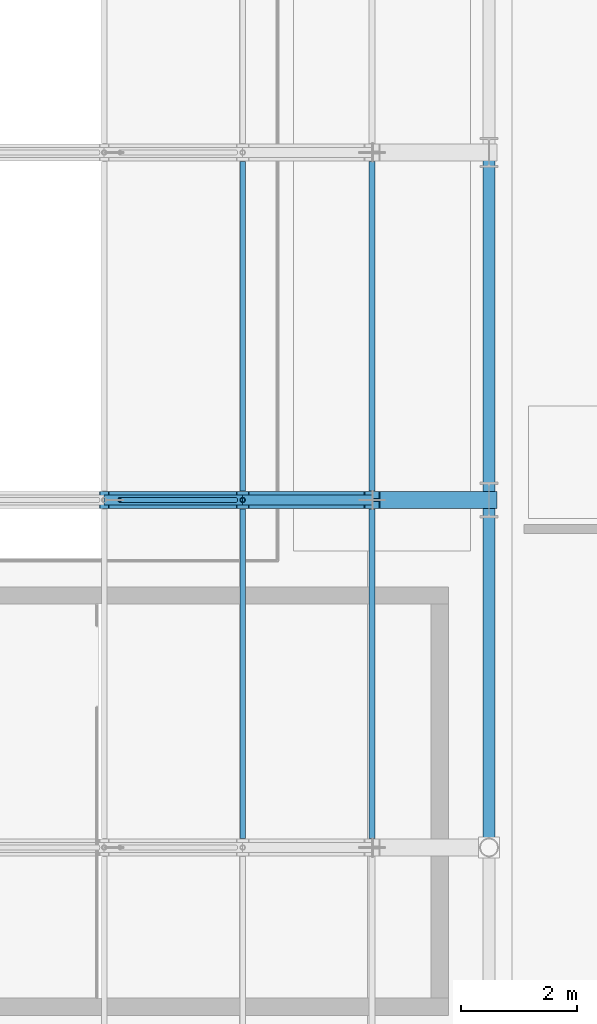
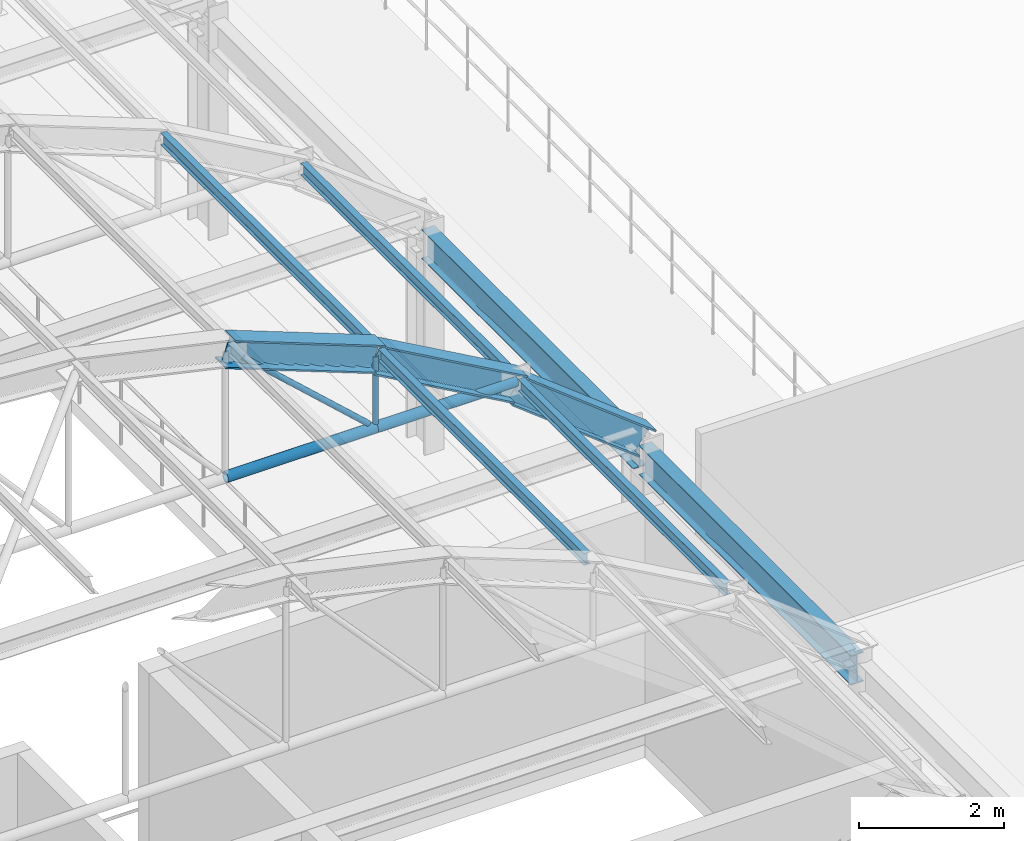
# One storey, part 41 of 148: 9 beams, 4 members.
"""IFC4 building model written with IfcOpenShell, lengths in metres."""

from ifc_helpers import new_model, si_unit, direction, frame, origin, origin_2d, place, context, subcontext, project, spatial, hollow_circle, i_section, extrude, material, material_profile, profile_set, type_object, element, save


model = new_model("IFC4")

# Units and contexts
model_context = context("Model", 3, precision=1e-05, world=origin(), true_north=direction((0.0, 1.0)))
body_context = subcontext(model_context, "Body", "Model", "MODEL_VIEW")
ifc_project = project(units=[si_unit("LENGTHUNIT", "METRE"), si_unit("AREAUNIT", "SQUARE_METRE"), si_unit("VOLUMEUNIT", "CUBIC_METRE"), si_unit("PLANEANGLEUNIT", "RADIAN"), si_unit("MASSUNIT", "GRAM", prefix="KILO"), si_unit("THERMODYNAMICTEMPERATUREUNIT", "KELVIN"), si_unit("POWERUNIT", "WATT")], contexts=[model_context])

# Site, building, storey
site_placement = place(None, origin())
site = spatial("IfcSite", under=ifc_project, at=site_placement, CompositionType="ELEMENT")
building_placement = place(site_placement, origin())
building = spatial("IfcBuilding", under=site, at=building_placement, Name="Solvatero Civic Police Headquarters", CompositionType="ELEMENT")
storey_placement = place(building_placement, frame((0.0, 0.0, 5.10009765625)))
storey = spatial("IfcBuildingStorey", under=building, at=storey_placement, Name="L01", CompositionType="ELEMENT", Elevation=5.10009765625)

# Beams
ifc_material = material(Name="Steel S355", Category="steel")
ifc_material_profile_1 = material_profile(ifc_material, i_section(OverallWidth=0.300048828125, OverallDepth=0.449951171875, WebThickness=0.013916015625, FlangeThickness=0.02587890625, FilletRadius=0.027099609375, at=origin_2d()), Name="HEB 450")
ifc_profile_set_1 = profile_set([ifc_material_profile_1], Name="Steel S355")
beam_type_1 = type_object("IfcBeamType", Name="BM-ST-HEB450", PredefinedType="BEAM", material=ifc_profile_set_1)
for number, where, z_axis, x_axis, name in (
    (1, (115.55517578125, 16.800048828125, 7.53955078125), (0.933355429458, 0.0, -0.358953537802), (0.0, 1.0, 0.0), "VLT1 Tied-Arch Vault Top Chord F3.8"),
    (2, (117.946533203125, 16.800048828125, 6.590087890625), (0.870765086908, 0.0, -0.491699261156), (0.0, 1.0, 0.0), "VLT1 Tied-Arch Vault Top Chord F3.9"),
    (3, (120.177490234375, 16.800048828125, 5.284912109375), (0.789403525995, 0.0, -0.613874639602), (0.0, 1.0, 0.0), "VLT1 Tied-Arch Vault Top Chord F3.10"),
):
    element("IfcBeam", number, at=place(storey_placement, frame(where, z_axis=z_axis, x_axis=x_axis)), inside=storey, type_object=beam_type_1, Name=name, PredefinedType="BEAM", context=body_context, shape_type="SweptSolid", body=[
        extrude(i_section(OverallWidth=0.300048828125, OverallDepth=0.449951171875, WebThickness=0.013916015625, FlangeThickness=0.02587890625, FilletRadius=0.027099609375, at=origin_2d()), origin(), (0.0, 0.0, 1.0), 2.56201171875),
    ])
ifc_material_profile_2 = material_profile(ifc_material, i_section(OverallWidth=0.10009765625, OverallDepth=0.199951171875, WebThickness=0.005615234375, FlangeThickness=0.008544921875, FilletRadius=0.011962890625, at=origin_2d()), Name="IPE 200")
ifc_profile_set_2 = profile_set([ifc_material_profile_2], Name="Steel S355")
beam_type_2 = type_object("IfcBeamType", Name="BM-ST-IPE200", PredefinedType="JOIST", material=ifc_profile_set_2)
for number, where, z_axis, x_axis, name in (
    (4, (117.946533203125, 10.9580078125, 6.721435546875), (0.0, 1.0, 0.0), (-1.0, 0.0, 0.0), "VLT1 Vault Roof Purlin B2.8"),
    (5, (120.177490234375, 10.9580078125, 5.4326171875), (0.0, 1.0, 0.0), (-1.0, 0.0, 0.0), "VLT1 Vault Roof Purlin B2.9"),
    (6, (117.946533203125, 16.9580078125, 6.721435546875), (0.0, 1.0, 0.0), (-1.0, 0.0, 0.0), "VLT1 Vault Roof Purlin B3.8"),
    (7, (120.177490234375, 16.9580078125, 5.4326171875), (0.0, 1.0, 0.0), (-1.0, 0.0, 0.0), "VLT1 Vault Roof Purlin B3.9"),
):
    element("IfcBeam", number, at=place(storey_placement, frame(where, z_axis=z_axis, x_axis=x_axis)), inside=storey, type_object=beam_type_2, Name=name, PredefinedType="JOIST", context=body_context, shape_type="SweptSolid", body=[
        extrude(i_section(OverallWidth=0.10009765625, OverallDepth=0.199951171875, WebThickness=0.005615234375, FlangeThickness=0.008544921875, FilletRadius=0.011962890625, at=origin_2d()), origin(), (0.0, 0.0, 1.0), 5.68408203125),
    ])
ifc_material_profile_3 = material_profile(ifc_material, i_section(OverallWidth=0.199951171875, OverallDepth=0.5, WebThickness=0.01025390625, FlangeThickness=0.01611328125, FilletRadius=0.02099609375, at=origin_2d()), Name="IPE 500")
ifc_profile_set_3 = profile_set([ifc_material_profile_3], Name="Steel S355")
beam_type_3 = type_object("IfcBeamType", Name="BM-ST-IPE500", PredefinedType="BEAM", material=ifc_profile_set_3)
for number, where, z_axis, x_axis, name in (
    (8, (122.199951171875, 10.8798828125, 3.429931640625), (0.0, 1.0, 0.0), (-1.0, 0.0, 0.0), "Primary girder BM-R2-VLT1-SPR-E-B2"),
    (9, (122.199951171875, 16.8798828125, 3.429931640625), (0.0, 1.0, 0.0), (-1.0, 0.0, 0.0), "Primary girder BM-R2-VLT1-SPR-E-B3"),
):
    element("IfcBeam", number, at=place(storey_placement, frame(where, z_axis=z_axis, x_axis=x_axis)), inside=storey, type_object=beam_type_3, Name=name, PredefinedType="BEAM", context=body_context, shape_type="SweptSolid", body=[
        extrude(i_section(OverallWidth=0.199951171875, OverallDepth=0.5, WebThickness=0.01025390625, FlangeThickness=0.01611328125, FilletRadius=0.02099609375, at=origin_2d()), origin(), (0.0, 0.0, 1.0), 5.840087890625),
    ])

# Members
ifc_material_profile_4 = material_profile(ifc_material, hollow_circle(Radius=0.04443359375, WallThickness=0.00634765625, at=origin_2d()), Name="CHS 88.9x6.3")
ifc_profile_set_4 = profile_set([ifc_material_profile_4], Name="Steel S355")
member_type_1 = type_object("IfcMemberType", Name="MB-HNG-CHS89", PredefinedType="STRUT", material=ifc_profile_set_4)
member_1_placement = place(storey_placement, frame((117.828125, 16.800048828125, 5.49951171875), z_axis=(-0.739076960519, 0.0, 0.673620996132), x_axis=(0.0, -1.0, 0.0)))
element("IfcMember", 10, at=member_1_placement, inside=storey, type_object=member_type_1, Name="VLT1 Vault Truss Diagonal Web F3.7", PredefinedType="STRUT", context=body_context, shape_type="SweptSolid", body=[
    extrude(hollow_circle(Radius=0.04443359375, WallThickness=0.00634765625, at=origin_2d()), origin(), (0.0, 0.0, 1.0), 2.71533203125),
])
member_2_placement = place(storey_placement, frame((117.946533203125, 16.800048828125, 5.431640625), z_axis=(0.0, 0.0, 1.0), x_axis=(1.0, 0.0, 0.0)))
element("IfcMember", 11, at=member_2_placement, inside=storey, type_object=member_type_1, Name="VLT1 Vault Vertical Hanger F3.8", PredefinedType="STRUT", context=body_context, shape_type="SweptSolid", body=[
    extrude(hollow_circle(Radius=0.04443359375, WallThickness=0.00634765625, at=origin_2d()), origin(), (0.0, 0.0, 1.0), 1.169677734375),
])
ifc_material_profile_5 = material_profile(ifc_material, hollow_circle(Radius=0.084228515625, WallThickness=0.010009765625, at=origin_2d()), Name="CHS 168.3x10.0")
ifc_profile_set_5 = profile_set([ifc_material_profile_5], Name="Steel S355")
member_type_2 = type_object("IfcMemberType", Name="MB-TIE-CHS168", PredefinedType="CHORD", material=ifc_profile_set_5)
member_3_placement = place(storey_placement, frame((115.55517578125, 16.800048828125, 5.3916015625), z_axis=(1.0, 0.0, 0.0), x_axis=(0.0, 1.0, 0.0)))
element("IfcMember", 12, at=member_3_placement, inside=storey, type_object=member_type_2, Name="VLT1 Vault Horizontal Tie Chord F3.7", PredefinedType="CHORD", context=body_context, shape_type="SweptSolid", body=[
    extrude(hollow_circle(Radius=0.084228515625, WallThickness=0.010009765625, at=origin_2d()), origin(), (0.0, 0.0, 1.0), 2.391357421875),
])
member_4_placement = place(storey_placement, frame((117.946533203125, 16.800048828125, 5.3916015625), z_axis=(1.0, 0.0, 0.0), x_axis=(0.0, 1.0, 0.0)))
element("IfcMember", 13, at=member_4_placement, inside=storey, type_object=member_type_2, Name="VLT1 Vault Horizontal Tie Chord F3.8", PredefinedType="CHORD", context=body_context, shape_type="SweptSolid", body=[
    extrude(hollow_circle(Radius=0.084228515625, WallThickness=0.010009765625, at=origin_2d()), origin(), (0.0, 0.0, 1.0), 2.23095703125),
])

save(model, "model.ifc")
